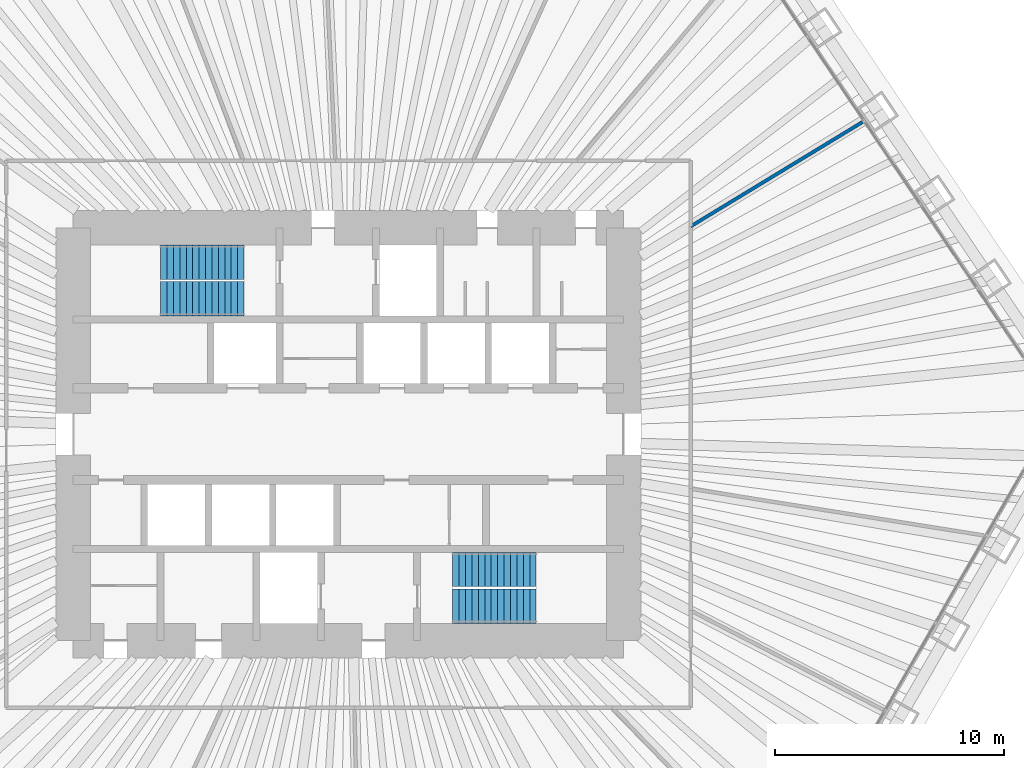
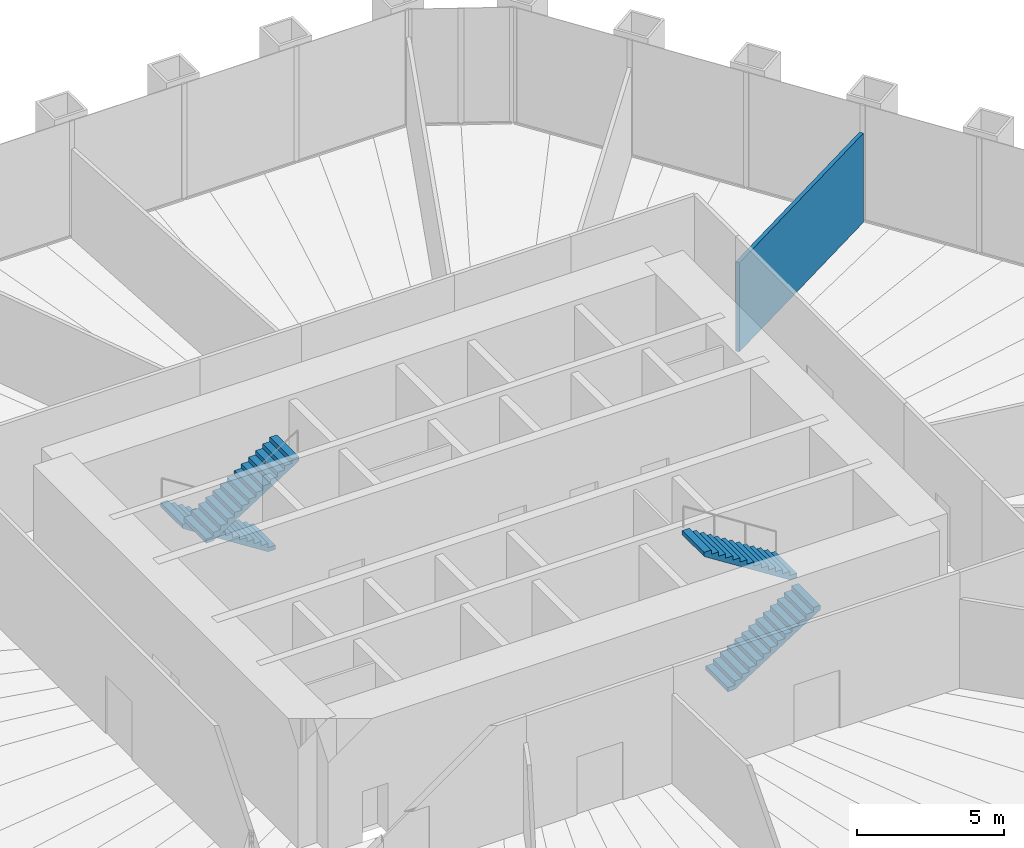
# One storey, part 13 of 14: 4 stair flights, 1 wall, 2 elements without a shape of their own.
"""IFC4 building model written with IfcOpenShell, lengths in metres."""

from ifc_helpers import new_model, si_unit, direction, frame, frame_2d, origin, place, context, subcontext, project, spatial, polyline, rectangle, outline, extrude, material, layer, layer_set, type_object, element, aggregate, save


model = new_model("IFC4")

# Units and contexts
model_context = context("Model", 3, precision=1e-05, world=origin(), true_north=direction((0.0, 1.0)))
body_context = subcontext(model_context, "Body", "Model", "MODEL_VIEW")
ifc_project = project(units=[si_unit("LENGTHUNIT", "METRE"), si_unit("AREAUNIT", "SQUARE_METRE"), si_unit("VOLUMEUNIT", "CUBIC_METRE"), si_unit("PLANEANGLEUNIT", "RADIAN"), si_unit("MASSUNIT", "GRAM", prefix="KILO")], contexts=[model_context])

# Site, building, storey
site_placement = place(None, origin())
site = spatial("IfcSite", under=ifc_project, at=site_placement, CompositionType="ELEMENT")
building_placement = place(site_placement, origin())
building = spatial("IfcBuilding", under=site, at=building_placement, Name="Qingtian Harvest Tower", CompositionType="ELEMENT")
storey_placement = place(building_placement, frame((0.0, 0.0, 57.0)))
storey = spatial("IfcBuildingStorey", under=building, at=storey_placement, Name="L11", CompositionType="ELEMENT", Elevation=57.0)

# Wall
ifc_material_1 = material(Name="Gypsum board on steel studs", Category="steel")
ifc_layer = layer(ifc_material_1, 0.14990234375)
ifc_layer_set = layer_set([ifc_layer], Name="Partition PT1 150")
wall_type = type_object("IfcWallType", Name="Partition PT1 150", PredefinedType="PARTITIONING", material=ifc_layer_set)
wall_placement = place(storey_placement, frame((22.42138671875, 13.6123046875, 0.0), z_axis=(0.0, 0.0, 1.0), x_axis=(-0.854791484761, -0.518971596121, 0.0)))
element("IfcWall", 1, at=wall_placement, inside=storey, type_object=wall_type, Name="Herb growing room wall L11", PredefinedType="PARTITIONING", context=body_context, shape_type="SweptSolid", body=[
    extrude(rectangle(XDim=8.769775390625, YDim=0.14990234375, at=frame_2d((4.384765625, 0.0))), origin(), (0.0, 0.0, 1.0), 3.699951171875),
])

# Stair, stair flights
ifc_material_2 = material(Name="Concrete fc' 35 MPa", Category="concrete")
stair_type = type_object("IfcStairType", Name="Special stair ST2 5000", PredefinedType="HALF_TURN_STAIR", material=ifc_material_2)
stair_1_placement = place(storey_placement, origin())
stair_1 = element("IfcStair", 2, at=stair_1_placement, inside=storey, type_object=stair_type, Name="Special stair S1 L11", PredefinedType="HALF_TURN_STAIR")
ifc_material_3 = material(Name="Concrete fc' 35 MPa", Category="concrete")
stair_flight_type = type_object("IfcStairFlightType", Name="Stair flight SF2 5000", PredefinedType="STRAIGHT", material=ifc_material_3)
stair_flight_1_placement = place(storey_placement, frame((-4.550048828125, 7.5, 0.0), z_axis=(0.0, 0.0, 1.0), x_axis=(-1.0, 0.0, 0.0)))
stair_flight_1 = element("IfcStairFlight", 3, at=stair_flight_1_placement, type_object=stair_flight_type, Name="S1 flight 1", NumberOfRisers=14, NumberOfTreads=13, PredefinedType="STRAIGHT", RiserHeight=0.178571429, TreadLength=0.28, context=body_context, shape_type="SweptSolid", body=[
    extrude(outline(polyline([(0.0, 0.0), (0.0, 0.178466796875), (0.280029296875, 0.178466796875), (0.280029296875, 0.357177734375), (0.56005859375, 0.357177734375), (0.56005859375, 0.53564453125), (0.840087890625, 0.53564453125), (0.840087890625, 0.71435546875), (1.1201171875, 0.71435546875), (1.1201171875, 0.892822265625), (1.39990234375, 0.892822265625), (1.39990234375, 1.071533203125), (1.679931640625, 1.071533203125), (1.679931640625, 1.25), (1.9599609375, 1.25), (1.9599609375, 1.428466796875), (2.239990234375, 1.428466796875), (2.239990234375, 1.607177734375), (2.52001953125, 1.607177734375), (2.52001953125, 1.78564453125), (2.800048828125, 1.78564453125), (2.800048828125, 1.96435546875), (3.080078125, 1.96435546875), (3.080078125, 2.142822265625), (3.360107421875, 2.142822265625), (3.360107421875, 2.321533203125), (3.639892578125, 2.321533203125), (3.639892578125, 2.5), (3.639892578125, 2.1435546875), (0.27880859375, 0.0), (0.0, 0.0)])), frame((0.0, 0.75, 0.0), z_axis=(0.0, -1.0, 0.0), x_axis=(1.0, 0.0, 0.0)), (0.0, 0.0, 1.0), 1.5),
])
stair_flight_2_placement = place(storey_placement, frame((-8.18994140625, 5.89990234375, 2.5), z_axis=(0.0, 0.0, 1.0), x_axis=(1.0, 0.0, 0.0)))
stair_flight_2 = element("IfcStairFlight", 4, at=stair_flight_2_placement, type_object=stair_flight_type, Name="S1 flight 2", NumberOfRisers=14, NumberOfTreads=13, PredefinedType="STRAIGHT", RiserHeight=0.178571429, TreadLength=0.28, context=body_context, shape_type="SweptSolid", body=[
    extrude(outline(polyline([(0.0, 0.0), (0.0, 0.178466796875), (0.280029296875, 0.178466796875), (0.280029296875, 0.357177734375), (0.56005859375, 0.357177734375), (0.56005859375, 0.53564453125), (0.840087890625, 0.53564453125), (0.840087890625, 0.71435546875), (1.1201171875, 0.71435546875), (1.1201171875, 0.892822265625), (1.39990234375, 0.892822265625), (1.39990234375, 1.071533203125), (1.679931640625, 1.071533203125), (1.679931640625, 1.25), (1.9599609375, 1.25), (1.9599609375, 1.428466796875), (2.239990234375, 1.428466796875), (2.239990234375, 1.607177734375), (2.52001953125, 1.607177734375), (2.52001953125, 1.78564453125), (2.800048828125, 1.78564453125), (2.800048828125, 1.96435546875), (3.080078125, 1.96435546875), (3.080078125, 2.142822265625), (3.360107421875, 2.142822265625), (3.360107421875, 2.321533203125), (3.639892578125, 2.321533203125), (3.639892578125, 2.5), (3.639892578125, 2.1435546875), (0.27880859375, 0.0), (0.0, 0.0)])), frame((0.0, 0.75, 0.0), z_axis=(0.0, -1.0, 0.0), x_axis=(1.0, 0.0, 0.0)), (0.0, 0.0, 1.0), 1.5),
])
aggregate(stair_1, [stair_flight_1, stair_flight_2])

stair_2_placement = place(storey_placement, origin())
stair_2 = element("IfcStair", 5, at=stair_2_placement, inside=storey, type_object=stair_type, Name="Special stair S2 L11", PredefinedType="HALF_TURN_STAIR")
stair_flight_3_placement = place(storey_placement, frame((4.550048828125, -7.5, 0.0), z_axis=(0.0, 0.0, 1.0), x_axis=(1.0, 0.0, 0.0)))
stair_flight_3 = element("IfcStairFlight", 6, at=stair_flight_3_placement, type_object=stair_flight_type, Name="S2 flight 1", NumberOfRisers=14, NumberOfTreads=13, PredefinedType="STRAIGHT", RiserHeight=0.178571429, TreadLength=0.28, context=body_context, shape_type="SweptSolid", body=[
    extrude(outline(polyline([(0.0, 0.0), (0.0, 0.178466796875), (0.280029296875, 0.178466796875), (0.280029296875, 0.357177734375), (0.56005859375, 0.357177734375), (0.56005859375, 0.53564453125), (0.840087890625, 0.53564453125), (0.840087890625, 0.71435546875), (1.1201171875, 0.71435546875), (1.1201171875, 0.892822265625), (1.39990234375, 0.892822265625), (1.39990234375, 1.071533203125), (1.679931640625, 1.071533203125), (1.679931640625, 1.25), (1.9599609375, 1.25), (1.9599609375, 1.428466796875), (2.239990234375, 1.428466796875), (2.239990234375, 1.607177734375), (2.52001953125, 1.607177734375), (2.52001953125, 1.78564453125), (2.800048828125, 1.78564453125), (2.800048828125, 1.96435546875), (3.080078125, 1.96435546875), (3.080078125, 2.142822265625), (3.360107421875, 2.142822265625), (3.360107421875, 2.321533203125), (3.639892578125, 2.321533203125), (3.639892578125, 2.5), (3.639892578125, 2.1435546875), (0.27880859375, 0.0), (0.0, 0.0)])), frame((0.0, 0.75, 0.0), z_axis=(0.0, -1.0, 0.0), x_axis=(1.0, 0.0, 0.0)), (0.0, 0.0, 1.0), 1.5),
])
stair_flight_4_placement = place(storey_placement, frame((8.18994140625, -5.89990234375, 2.5), z_axis=(0.0, 0.0, 1.0), x_axis=(-1.0, 0.0, 0.0)))
stair_flight_4 = element("IfcStairFlight", 7, at=stair_flight_4_placement, type_object=stair_flight_type, Name="S2 flight 2", NumberOfRisers=14, NumberOfTreads=13, PredefinedType="STRAIGHT", RiserHeight=0.178571429, TreadLength=0.28, context=body_context, shape_type="SweptSolid", body=[
    extrude(outline(polyline([(0.0, 0.0), (0.0, 0.178466796875), (0.280029296875, 0.178466796875), (0.280029296875, 0.357177734375), (0.56005859375, 0.357177734375), (0.56005859375, 0.53564453125), (0.840087890625, 0.53564453125), (0.840087890625, 0.71435546875), (1.1201171875, 0.71435546875), (1.1201171875, 0.892822265625), (1.39990234375, 0.892822265625), (1.39990234375, 1.071533203125), (1.679931640625, 1.071533203125), (1.679931640625, 1.25), (1.9599609375, 1.25), (1.9599609375, 1.428466796875), (2.239990234375, 1.428466796875), (2.239990234375, 1.607177734375), (2.52001953125, 1.607177734375), (2.52001953125, 1.78564453125), (2.800048828125, 1.78564453125), (2.800048828125, 1.96435546875), (3.080078125, 1.96435546875), (3.080078125, 2.142822265625), (3.360107421875, 2.142822265625), (3.360107421875, 2.321533203125), (3.639892578125, 2.321533203125), (3.639892578125, 2.5), (3.639892578125, 2.1435546875), (0.27880859375, 0.0), (0.0, 0.0)])), frame((0.0, 0.75, 0.0), z_axis=(0.0, -1.0, 0.0), x_axis=(1.0, 0.0, 0.0)), (0.0, 0.0, 1.0), 1.5),
])
aggregate(stair_2, [stair_flight_3, stair_flight_4])

save(model, "model.ifc")
